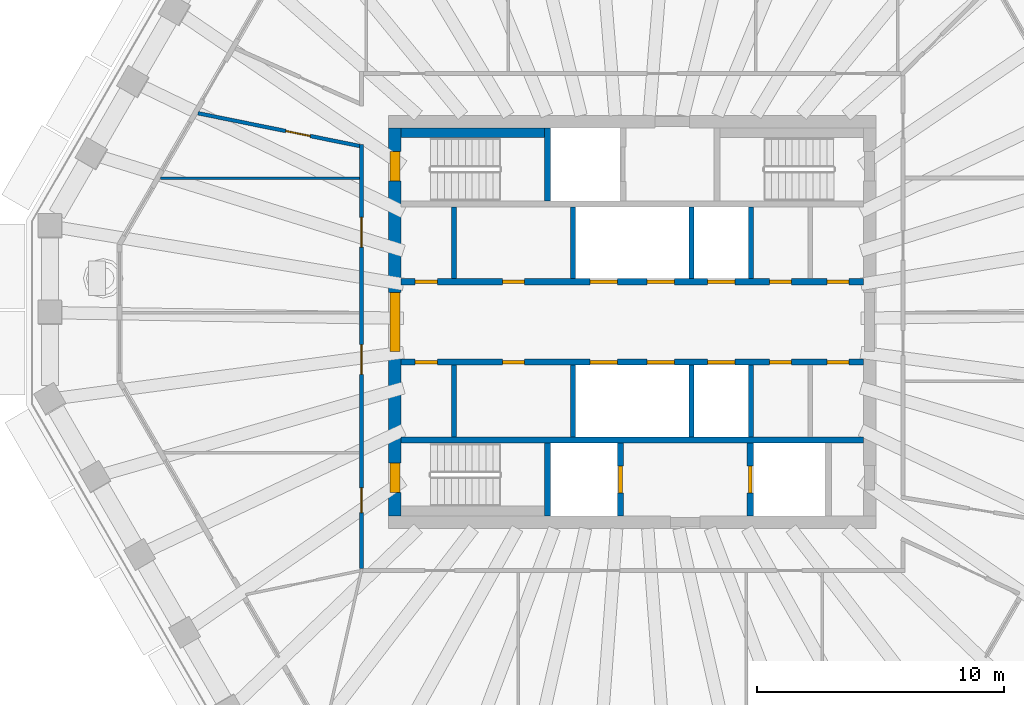
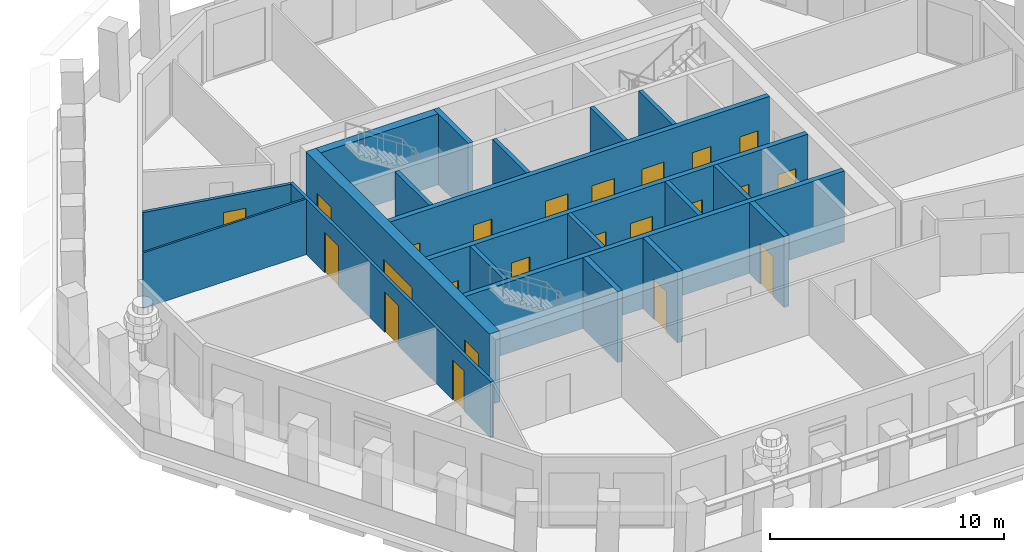
# One storey, part 4 of 11: 23 doors, 20 walls, 23 openings.
"""IFC4 building model written with IfcOpenShell, lengths in metres."""

import ifcopenshell
import ifcopenshell.guid

model = None  # the IFC model being written
_history = None  # IfcOwnerHistory: only IFC2X3 demands one
_inside = {}  # id of a spatial element -> (the spatial element, [elements in it])
_under = {}  # id of a project, library or spatial element -> (it, [spatial elements below it])
_declared = {}  # id of a project -> (the project, [libraries it declares])
_typed = {}  # id of a type object -> (the type object, [elements of that type])
_made_of = {}  # id of a material, layer set ... -> (it, [elements and type objects made of it])


def new_model(schema):
    """Start an empty IFC model of exactly this schema.

    Asked for "IFC4X3", IfcOpenShell would pick the latest addendum, in which some entities
    have other attributes; the version numbers below select the first issue.
    IFC2X3 requires an IfcOwnerHistory on every rooted entity: one is made here for all.
    """
    global model, _history
    if schema == "IFC4X3":
        model = ifcopenshell.file(schema_version=(4, 3, 0, 0))
    else:
        model = ifcopenshell.file(schema=schema)
    _inside.clear()
    _under.clear()
    _declared.clear()
    _typed.clear()
    _made_of.clear()
    _history = None
    if model.schema == "IFC2X3":
        org = make("IfcOrganization", Name="unknown")
        user = make(
            "IfcPersonAndOrganization",
            ThePerson=make("IfcPerson", FamilyName="unknown"),
            TheOrganization=org,
        )
        app = make(
            "IfcApplication",
            ApplicationDeveloper=org,
            Version="unknown",
            ApplicationFullName="unknown",
            ApplicationIdentifier="unknown",
        )
        _history = make(
            "IfcOwnerHistory",
            OwningUser=user,
            OwningApplication=app,
            ChangeAction="ADDED",
            CreationDate=0,
        )
    return model


def make(cls, **values):
    """One entity of the class cls with the attributes given. An attribute that is None is left unset."""
    return model.create_entity(
        cls, **{name: value for name, value in values.items() if value is not None}
    )


def rooted(cls, **values):
    """An entity with a GlobalId (a new one), such as an element, a storey or a relation."""
    return make(cls, GlobalId=ifcopenshell.guid.new(), OwnerHistory=_history, **values)


def si_unit(unit_type, name, prefix=None):
    """IfcSIUnit, for example si_unit("LENGTHUNIT", "METRE", prefix="MILLI")."""
    return make("IfcSIUnit", UnitType=unit_type, Prefix=prefix, Name=name)


def assignment(units):
    """IfcUnitAssignment: the units of a project."""
    return None if units is None else make("IfcUnitAssignment", Units=units)


def point(xyz):
    """IfcCartesianPoint."""
    return None if xyz is None else make("IfcCartesianPoint", Coordinates=xyz)


def direction(xyz):
    """IfcDirection."""
    return None if xyz is None else make("IfcDirection", DirectionRatios=xyz)


def frame(location, z_axis=None, x_axis=None):
    """IfcAxis2Placement3D, a coordinate frame: its origin and axes. An axis left out is left unset."""
    return make(
        "IfcAxis2Placement3D",
        Location=point(location),
        Axis=direction(z_axis),
        RefDirection=direction(x_axis),
    )


def frame_2d(location, x_axis=None):
    """IfcAxis2Placement2D, a coordinate frame in the plane: its origin and x axis."""
    return make(
        "IfcAxis2Placement2D", Location=point(location), RefDirection=direction(x_axis)
    )


def origin():
    """The frame at (0, 0, 0) with its axes left unset."""
    return frame((0.0, 0.0, 0.0))


def place(relative_to, where):
    """IfcLocalPlacement: puts the frame where relative to a parent placement (None: the world)."""
    return make(
        "IfcLocalPlacement", PlacementRelTo=relative_to, RelativePlacement=where
    )


def context(
    kind, dimensions, precision=None, world=None, true_north=None, identifier=None
):
    """IfcGeometricRepresentationContext, for example the 3D "Model" context."""
    return make(
        "IfcGeometricRepresentationContext",
        ContextIdentifier=identifier,
        ContextType=kind,
        CoordinateSpaceDimension=dimensions,
        Precision=precision,
        WorldCoordinateSystem=world,
        TrueNorth=true_north,
    )


def subcontext(parent, identifier, kind, view, scale=None):
    """IfcGeometricRepresentationSubContext, for example "Body" below "Model"."""
    return make(
        "IfcGeometricRepresentationSubContext",
        ContextIdentifier=identifier,
        ContextType=kind,
        ParentContext=parent,
        TargetScale=scale,
        TargetView=view,
    )


def project(units=None, contexts=None):
    """IfcProject with its units and contexts."""
    return rooted(
        "IfcProject",
        Name="project",
        RepresentationContexts=contexts,
        UnitsInContext=assignment(units),
    )


def spatial(cls, under=None, at=None, **own):
    """A site, building, storey or space (cls), placed at a placement, below another one or the project."""
    s = rooted(cls, ObjectPlacement=at, **own)
    if under is not None:
        _under.setdefault(under.id(), (under, []))[1].append(s)
    return s


def profile(cls, at=None, kind="AREA", **sizes):
    """A parametric profile (cls). Its sizes go by their IFC names, for example OverallWidth=200.0."""
    return make(cls, ProfileType=kind, Position=at, **sizes)


def rectangle(**sizes):
    """IfcRectangleProfileDef."""
    return profile("IfcRectangleProfileDef", **sizes)


def extrude(swept, where, along, depth):
    """IfcExtrudedAreaSolid: the profile swept, set in the frame where, extruded along a direction by depth."""
    return make(
        "IfcExtrudedAreaSolid",
        SweptArea=swept,
        Position=where,
        ExtrudedDirection=direction(along),
        Depth=depth,
    )


def shape(context_of_items, identifier, shape_type, items):
    """IfcShapeRepresentation: the items that make up one representation, for example the "Body"."""
    return make(
        "IfcShapeRepresentation",
        ContextOfItems=context_of_items,
        RepresentationIdentifier=identifier,
        RepresentationType=shape_type,
        Items=items,
    )


def material(Name=None, Category=None):
    """IfcMaterial."""
    return make("IfcMaterial", Name=Name, Category=Category)


def layer(
    of_material, thickness, ventilated=None, Name=None, Category=None, Priority=None
):
    """IfcMaterialLayer: one layer of a wall or slab, of a material (None: an air gap)."""
    return make(
        "IfcMaterialLayer",
        Material=of_material,
        LayerThickness=thickness,
        IsVentilated=ventilated,
        Name=Name,
        Category=Category,
        Priority=Priority,
    )


def layer_set(layers, Name=None):
    """IfcMaterialLayerSet."""
    return make("IfcMaterialLayerSet", MaterialLayers=layers, LayerSetName=Name)


def made_of(thing, what):
    """Note that an element or type object is made of a material, layer set ...; save() writes the relation."""
    if what is not None:
        _made_of.setdefault(what.id(), (what, []))[1].append(thing)
    return thing


def type_object(cls, material=None, **own):
    """A type object (cls), such as IfcWallType, which elements share."""
    return made_of(rooted(cls, **own), material)


def element(
    cls,
    number,
    at=None,
    inside=None,
    cuts=None,
    type_object=None,
    material=None,
    context=None,
    identifier="Body",
    shape_type=None,
    held_by="IfcProductDefinitionShape",
    body=None,
    shapes=None,
    **own,
):
    """One element of the class cls, such as IfcWall. Its Tag is "e" and its number.

    at: its placement. inside: the storey or other place that contains it. cuts: it is an
    opening in that element (IfcRelVoidsElement). A single representation is given by context,
    identifier, shape_type and body (its items); several are given by shapes. held_by: the class
    of the entity that holds the representations. save() writes the other relations.
    """
    e = rooted(cls, Tag="e%d" % number, ObjectPlacement=at, **own)
    if body is not None:
        shapes = [shape(context, identifier, shape_type, body)]
    if shapes is not None:
        e.Representation = make(held_by, Representations=shapes)
    if inside is not None:
        _inside.setdefault(inside.id(), (inside, []))[1].append(e)
    if cuts is not None:
        rooted(
            "IfcRelVoidsElement", RelatingBuildingElement=cuts, RelatedOpeningElement=e
        )
    if type_object is not None:
        _typed.setdefault(type_object.id(), (type_object, []))[1].append(e)
    return made_of(e, material)


def fill(opening, filler):
    """IfcRelFillsElement: the door or window that sits in an opening."""
    return rooted(
        "IfcRelFillsElement",
        RelatingOpeningElement=opening,
        RelatedBuildingElement=filler,
    )


def aggregate(whole, parts):
    """IfcRelAggregates: a whole, such as a stair, and the parts it consists of."""
    return rooted("IfcRelAggregates", RelatingObject=whole, RelatedObjects=parts)


def save(model, path):
    """Write the relations noted so far, then the file.

    IfcRelAggregates (storeys below a building ...), IfcRelContainedInSpatialStructure (elements
    in a storey), IfcRelDefinesByType, IfcRelAssociatesMaterial and IfcRelDeclares: one each for
    every whole, place, type object, material and project.
    """
    for whole, parts in _under.values():
        aggregate(whole, parts)
    for where, things in _inside.values():
        rooted(
            "IfcRelContainedInSpatialStructure",
            RelatedElements=things,
            RelatingStructure=where,
        )
    for kind, things in _typed.values():
        rooted("IfcRelDefinesByType", RelatedObjects=things, RelatingType=kind)
    for what, things in _made_of.values():
        rooted("IfcRelAssociatesMaterial", RelatedObjects=things, RelatingMaterial=what)
    for by, libraries in _declared.values():
        rooted("IfcRelDeclares", RelatingContext=by, RelatedDefinitions=libraries)
    model.write(path)


model = new_model("IFC4")

# Units and contexts
model_context = context("Model", 3, precision=1e-05, world=origin(), true_north=direction((0.0, 1.0)))
body_context = subcontext(model_context, "Body", "Model", "MODEL_VIEW")
ifc_project = project(units=[si_unit("LENGTHUNIT", "METRE"), si_unit("AREAUNIT", "SQUARE_METRE"), si_unit("VOLUMEUNIT", "CUBIC_METRE"), si_unit("PLANEANGLEUNIT", "RADIAN"), si_unit("MASSUNIT", "GRAM", prefix="KILO")], contexts=[model_context])

# Site, building, storey
site_placement = place(None, origin())
site = spatial("IfcSite", under=ifc_project, at=site_placement, CompositionType="ELEMENT")
building_placement = place(site_placement, origin())
building = spatial("IfcBuilding", under=site, at=building_placement, Name="Frailejon Research Tower", CompositionType="ELEMENT")
storey_placement = place(building_placement, frame((0.0, 0.0, 275.0)))
storey = spatial("IfcBuildingStorey", under=building, at=storey_placement, Name="L60", CompositionType="ELEMENT", Elevation=275.0)

# Wall, openings, doors
ifc_material_1 = material(Name="Concrete C50/60", Category="concrete")
ifc_layer_1 = layer(ifc_material_1, 0.5)
ifc_layer_set_1 = layer_set([ifc_layer_1], Name="Core shear wall 500 C50/60")
wall_type_1 = type_object("IfcWallType", Name="Core shear wall 500 C50/60", PredefinedType="SHEAR", material=ifc_layer_set_1)
wall_1_placement = place(storey_placement, frame((-9.60009765625, -7.85009765625, 0.0), z_axis=(0.0, 0.0, 1.0), x_axis=(0.0, 1.0, 0.0)))
wall_1 = element("IfcWall", 1, at=wall_1_placement, inside=storey, type_object=wall_type_1, Name="Core shear wall", PredefinedType="SHEAR", context=body_context, shape_type="SweptSolid", body=[
    extrude(rectangle(XDim=15.7001953125, YDim=0.5, at=frame_2d((7.85009765625, 0.0))), origin(), (0.0, 0.0, 1.0), 3.699951171875),
])
opening_1_placement = place(wall_1_placement, frame((6.64990234375, 0.0, 0.0)))
opening_1 = element("IfcOpeningElement", 2, at=opening_1_placement, cuts=wall_1, Name="Opening D2", PredefinedType="OPENING", context=body_context, shape_type="SweptSolid", body=[
    extrude(rectangle(XDim=2.39990234375, YDim=2.10009765625, at=frame_2d((1.199951171875, 1.050048828125))), frame((0.0, 0.260009765625, 0.0), z_axis=(0.0, -1.0, 0.0), x_axis=(1.0, 0.0, 0.0)), (0.0, 0.0, 1.0), 0.52001953125),
])
opening_2_placement = place(wall_1_placement, frame((13.550048828125, 0.0, 0.0)))
opening_2 = element("IfcOpeningElement", 3, at=opening_2_placement, cuts=wall_1, Name="Opening D1", PredefinedType="OPENING", context=body_context, shape_type="SweptSolid", body=[
    extrude(rectangle(XDim=1.199951171875, YDim=2.10009765625, at=frame_2d((0.60009765625, 1.050048828125))), frame((0.0, 0.260009765625, 0.0), z_axis=(0.0, -1.0, 0.0), x_axis=(1.0, 0.0, 0.0)), (0.0, 0.0, 1.0), 0.52001953125),
])
opening_3_placement = place(wall_1_placement, frame((0.949951171875, 0.0, 0.0)))
opening_3 = element("IfcOpeningElement", 4, at=opening_3_placement, cuts=wall_1, Name="Opening D1", PredefinedType="OPENING", context=body_context, shape_type="SweptSolid", body=[
    extrude(rectangle(XDim=1.199951171875, YDim=2.10009765625, at=frame_2d((0.60009765625, 1.050048828125))), frame((0.0, 0.260009765625, 0.0), z_axis=(0.0, -1.0, 0.0), x_axis=(1.0, 0.0, 0.0)), (0.0, 0.0, 1.0), 0.52001953125),
])
ifc_material_2 = material(Name="Steel", Category="steel")
door_type_1 = type_object("IfcDoorType", Name="Lobby double door", OperationType="DOUBLE_DOOR_SINGLE_SWING", PredefinedType="DOOR", material=ifc_material_2)
door_1_placement = place(opening_1_placement, origin())
door_1 = element("IfcDoor", 5, at=door_1_placement, inside=storey, type_object=door_type_1, Name="Lobby door", OperationType="DOUBLE_DOOR_SINGLE_SWING", OverallHeight=2.10009765625, OverallWidth=2.39990234375, PredefinedType="DOOR", context=body_context, shape_type="SweptSolid", body=[
    extrude(rectangle(XDim=2.39990234375, YDim=2.10009765625, at=frame_2d((1.199951171875, 1.050048828125))), frame((0.0, 0.199951171875, 0.0), z_axis=(0.0, -1.0, 0.0), x_axis=(1.0, 0.0, 0.0)), (0.0, 0.0, 1.0), 0.39990234375),
])
fill(opening_1, door_1)
ifc_material_3 = material(Name="Steel", Category="steel")
door_type_2 = type_object("IfcDoorType", Name="Stair door", OperationType="SINGLE_SWING_LEFT", PredefinedType="DOOR", material=ifc_material_3)
door_2_placement = place(opening_2_placement, origin())
door_2 = element("IfcDoor", 6, at=door_2_placement, inside=storey, type_object=door_type_2, Name="Stair door ST1", OperationType="SINGLE_SWING_RIGHT", OverallHeight=2.10009765625, OverallWidth=1.199951171875, PredefinedType="DOOR", context=body_context, shape_type="SweptSolid", body=[
    extrude(rectangle(XDim=1.199951171875, YDim=2.10009765625, at=frame_2d((0.60009765625, 1.050048828125))), frame((0.0, 0.199951171875, 0.0), z_axis=(0.0, -1.0, 0.0), x_axis=(1.0, 0.0, 0.0)), (0.0, 0.0, 1.0), 0.39990234375),
])
fill(opening_2, door_2)
door_3_placement = place(opening_3_placement, origin())
door_3 = element("IfcDoor", 7, at=door_3_placement, inside=storey, type_object=door_type_2, Name="Stair door ST2", OperationType="SINGLE_SWING_LEFT", OverallHeight=2.10009765625, OverallWidth=1.199951171875, PredefinedType="DOOR", context=body_context, shape_type="SweptSolid", body=[
    extrude(rectangle(XDim=1.199951171875, YDim=2.10009765625, at=frame_2d((0.60009765625, 1.050048828125))), frame((0.0, 0.199951171875, 0.0), z_axis=(0.0, -1.0, 0.0), x_axis=(1.0, 0.0, 0.0)), (0.0, 0.0, 1.0), 0.39990234375),
])
fill(opening_3, door_3)

# Wall, opening, door
ifc_material_4 = material(Name="Gypsum board and masonry partition", Category="masonry")
ifc_layer_2 = layer(ifc_material_4, 0.14990234375)
ifc_layer_set_2 = layer_set([ifc_layer_2], Name="Corridor wall EI 60, gypsum on steel studs 150")
wall_type_2 = type_object("IfcWallType", Name="Corridor wall EI 60, gypsum on steel studs 150", PredefinedType="PARTITIONING", material=ifc_layer_set_2)
wall_2_placement = place(storey_placement, frame((-17.5595703125, 8.440185546875, 0.0), z_axis=(0.0, 0.0, 1.0), x_axis=(0.980059114806, -0.198706143552, 0.0)))
wall_2 = element("IfcWall", 8, at=wall_2_placement, inside=storey, type_object=wall_type_2, Name="T:IW:L60:002", PredefinedType="PARTITIONING", context=body_context, shape_type="SweptSolid", body=[
    extrude(rectangle(XDim=6.669189453125, YDim=0.14990234375, at=frame_2d((3.33447265625, 0.0))), origin(), (0.0, 0.0, 1.0), 2.89990234375),
])
opening_4_placement = place(wall_2_placement, frame((3.628662109375, 0.0, 0.0)))
opening_4 = element("IfcOpeningElement", 9, at=opening_4_placement, cuts=wall_2, Name="Opening D2158", PredefinedType="OPENING", context=body_context, shape_type="SweptSolid", body=[
    extrude(rectangle(XDim=1.0, YDim=2.10009765625, at=frame_2d((0.5, 1.050048828125))), frame((0.0, 0.0849609375, 0.0), z_axis=(0.0, -1.0, 0.0), x_axis=(1.0, 0.0, 0.0)), (0.0, 0.0, 1.0), 0.169921875),
])
ifc_material_5 = material(Name="Timber door leaf", Category="wood")
door_type_3 = type_object("IfcDoorType", Name="Door single leaf, timber, steel frame 1000", OperationType="NOTDEFINED", PredefinedType="DOOR", material=ifc_material_5)
door_4_placement = place(opening_4_placement, origin())
door_4 = element("IfcDoor", 10, at=door_4_placement, inside=storey, type_object=door_type_3, Name="D2158", OperationType="SINGLE_SWING_RIGHT", OverallHeight=2.10009765625, OverallWidth=1.0, PredefinedType="DOOR", context=body_context, shape_type="SweptSolid", body=[
    extrude(rectangle(XDim=1.0, YDim=2.10009765625, at=frame_2d((0.5, 1.050048828125))), frame((0.0, 0.02490234375, 0.0), z_axis=(0.0, -1.0, 0.0), x_axis=(1.0, 0.0, 0.0)), (0.0, 0.0, 1.0), 0.050048828125),
])
fill(opening_4, door_4)

# Wall, openings, doors
wall_3_placement = place(storey_placement, frame((-10.949951171875, -9.97509765625, 0.0), z_axis=(0.0, 0.0, 1.0), x_axis=(0.0, 1.0, 0.0)))
wall_3 = element("IfcWall", 11, at=wall_3_placement, inside=storey, type_object=wall_type_2, Name="T:IW:L60:006", PredefinedType="PARTITIONING", context=body_context, shape_type="SweptSolid", body=[
    extrude(rectangle(XDim=17.150146484375, YDim=0.14990234375, at=frame_2d((8.5751953125, 0.0))), origin(), (0.0, 0.0, 1.0), 2.89990234375),
])
opening_5_placement = place(wall_3_placement, frame((13.004150390625, 0.0, 0.0)))
opening_5 = element("IfcOpeningElement", 12, at=opening_5_placement, cuts=wall_3, Name="Opening D2159", PredefinedType="OPENING", context=body_context, shape_type="SweptSolid", body=[
    extrude(rectangle(XDim=1.199951171875, YDim=2.10009765625, at=frame_2d((0.60009765625, 1.050048828125))), frame((0.0, 0.0849609375, 0.0), z_axis=(0.0, -1.0, 0.0), x_axis=(1.0, 0.0, 0.0)), (0.0, 0.0, 1.0), 0.169921875),
])
opening_6_placement = place(wall_3_placement, frame((7.860107421875, 0.0, 0.0)))
opening_6 = element("IfcOpeningElement", 13, at=opening_6_placement, cuts=wall_3, Name="Opening D2160", PredefinedType="OPENING", context=body_context, shape_type="SweptSolid", body=[
    extrude(rectangle(XDim=1.199951171875, YDim=2.10009765625, at=frame_2d((0.60009765625, 1.050048828125))), frame((0.0, 0.0849609375, 0.0), z_axis=(0.0, -1.0, 0.0), x_axis=(1.0, 0.0, 0.0)), (0.0, 0.0, 1.0), 0.169921875),
])
opening_7_placement = place(wall_3_placement, frame((2.263427734375, 0.0, 0.0)))
opening_7 = element("IfcOpeningElement", 14, at=opening_7_placement, cuts=wall_3, Name="Opening D2161", PredefinedType="OPENING", context=body_context, shape_type="SweptSolid", body=[
    extrude(rectangle(XDim=1.0, YDim=2.10009765625, at=frame_2d((0.5, 1.050048828125))), frame((0.0, 0.0849609375, 0.0), z_axis=(0.0, -1.0, 0.0), x_axis=(1.0, 0.0, 0.0)), (0.0, 0.0, 1.0), 0.169921875),
])
door_5_placement = place(opening_7_placement, origin())
door_5 = element("IfcDoor", 15, at=door_5_placement, inside=storey, type_object=door_type_3, Name="D2161", OperationType="SINGLE_SWING_RIGHT", OverallHeight=2.10009765625, OverallWidth=1.0, PredefinedType="DOOR", context=body_context, shape_type="SweptSolid", body=[
    extrude(rectangle(XDim=1.0, YDim=2.10009765625, at=frame_2d((0.5, 1.050048828125))), frame((0.0, 0.02490234375, 0.0), z_axis=(0.0, -1.0, 0.0), x_axis=(1.0, 0.0, 0.0)), (0.0, 0.0, 1.0), 0.050048828125),
])
fill(opening_7, door_5)
ifc_material_6 = material(Name="Timber door leaf", Category="wood")
door_type_4 = type_object("IfcDoorType", Name="Door single leaf, timber, steel frame 1200", OperationType="NOTDEFINED", PredefinedType="DOOR", material=ifc_material_6)
door_6_placement = place(opening_5_placement, origin())
door_6 = element("IfcDoor", 16, at=door_6_placement, inside=storey, type_object=door_type_4, Name="D2159", OperationType="DOUBLE_DOOR_SINGLE_SWING", OverallHeight=2.10009765625, OverallWidth=1.199951171875, PredefinedType="DOOR", context=body_context, shape_type="SweptSolid", body=[
    extrude(rectangle(XDim=1.199951171875, YDim=2.10009765625, at=frame_2d((0.60009765625, 1.050048828125))), frame((0.0, 0.02490234375, 0.0), z_axis=(0.0, -1.0, 0.0), x_axis=(1.0, 0.0, 0.0)), (0.0, 0.0, 1.0), 0.050048828125),
])
fill(opening_5, door_6)
door_7_placement = place(opening_6_placement, origin())
door_7 = element("IfcDoor", 17, at=door_7_placement, inside=storey, type_object=door_type_4, Name="D2160", OperationType="DOUBLE_DOOR_SINGLE_SWING", OverallHeight=2.10009765625, OverallWidth=1.199951171875, PredefinedType="DOOR", context=body_context, shape_type="SweptSolid", body=[
    extrude(rectangle(XDim=1.199951171875, YDim=2.10009765625, at=frame_2d((0.60009765625, 1.050048828125))), frame((0.0, 0.02490234375, 0.0), z_axis=(0.0, -1.0, 0.0), x_axis=(1.0, 0.0, 0.0)), (0.0, 0.0, 1.0), 0.050048828125),
])
fill(opening_6, door_7)

# Walls
ifc_material_7 = material(Name="Gypsum board and masonry partition", Category="masonry")
ifc_layer_3 = layer(ifc_material_7, 0.10009765625)
ifc_layer_set_3 = layer_set([ifc_layer_3], Name="Partition, gypsum on steel studs 100")
wall_type_3 = type_object("IfcWallType", Name="Partition, gypsum on steel studs 100", PredefinedType="PARTITIONING", material=ifc_layer_set_3)
wall_4_placement = place(storey_placement, frame((-19.072998046875, 5.81884765625, 0.0), z_axis=(0.0, 0.0, 1.0), x_axis=(1.0, 0.0, 0.0)))
element("IfcWall", 18, at=wall_4_placement, inside=storey, type_object=wall_type_3, Name="T:IW:L60:019", PredefinedType="PARTITIONING", context=body_context, shape_type="SweptSolid", body=[
    extrude(rectangle(XDim=8.048095703125, YDim=0.10009765625, at=frame_2d((4.02392578125, 0.0))), origin(), (0.0, 0.0, 1.0), 2.89990234375),
])
ifc_material_8 = material(Name="Concrete C50/60", Category="concrete")
ifc_layer_4 = layer(ifc_material_8, 0.199951171875)
ifc_layer_set_4 = layer_set([ifc_layer_4], Name="Shaft wall 200 C50/60")
wall_type_4 = type_object("IfcWallType", Name="Shaft wall 200 C50/60", PredefinedType="SOLIDWALL", material=ifc_layer_set_4)
for number, where, z_axis, x_axis, name in (
    (19, (-7.199951171875, 1.75, 0.0), (0.0, 0.0, 1.0), (0.0, 1.0, 0.0), "Shaft wall"),
    (20, (-2.39990234375, 1.75, 0.0), (0.0, 0.0, 1.0), (0.0, 1.0, 0.0), "Shaft wall"),
    (21, (2.39990234375, 1.75, 0.0), (0.0, 0.0, 1.0), (0.0, 1.0, 0.0), "Shaft wall"),
    (22, (4.800048828125, 1.75, 0.0), (0.0, 0.0, 1.0), (0.0, 1.0, 0.0), "Shaft wall"),
    (23, (-7.199951171875, -4.64990234375, 0.0), (0.0, 0.0, 1.0), (0.0, 1.0, 0.0), "Shaft wall"),
    (24, (-2.39990234375, -4.64990234375, 0.0), (0.0, 0.0, 1.0), (0.0, 1.0, 0.0), "Shaft wall"),
    (25, (2.39990234375, -4.64990234375, 0.0), (0.0, 0.0, 1.0), (0.0, 1.0, 0.0), "Shaft wall"),
    (26, (4.800048828125, -4.64990234375, 0.0), (0.0, 0.0, 1.0), (0.0, 1.0, 0.0), "Shaft wall"),
):
    element("IfcWall", number, at=place(storey_placement, frame(where, z_axis=z_axis, x_axis=x_axis)), inside=storey, type_object=wall_type_4, Name=name, PredefinedType="SOLIDWALL", context=body_context, shape_type="SweptSolid", body=[
        extrude(rectangle(XDim=2.89990234375, YDim=0.199951171875, at=frame_2d((1.449951171875, 0.0))), origin(), (0.0, 0.0, 1.0), 3.699951171875),
    ])

# Wall, openings, doors
ifc_material_9 = material(Name="Concrete C50/60", Category="concrete")
ifc_layer_5 = layer(ifc_material_9, 0.25)
ifc_layer_set_5 = layer_set([ifc_layer_5], Name="Shaft wall 250 C50/60")
wall_type_5 = type_object("IfcWallType", Name="Shaft wall 250 C50/60", PredefinedType="SOLIDWALL", material=ifc_layer_set_5)
wall_5_placement = place(storey_placement, frame((-9.35009765625, 1.625, 0.0), z_axis=(0.0, 0.0, 1.0), x_axis=(1.0, 0.0, 0.0)))
wall_5 = element("IfcWall", 27, at=wall_5_placement, inside=storey, type_object=wall_type_5, Name="Shaft wall", PredefinedType="SOLIDWALL", context=body_context, shape_type="SweptSolid", body=[
    extrude(rectangle(XDim=18.7001953125, YDim=0.25, at=frame_2d((9.35009765625, 0.0))), origin(), (0.0, 0.0, 1.0), 3.699951171875),
])
opening_8_placement = place(wall_5_placement, frame((7.64990234375, 0.0, 0.0)))
opening_8 = element("IfcOpeningElement", 28, at=opening_8_placement, cuts=wall_5, Name="Opening LD", PredefinedType="OPENING", context=body_context, shape_type="SweptSolid", body=[
    extrude(rectangle(XDim=1.10009765625, YDim=2.10009765625, at=frame_2d((0.550048828125, 1.050048828125))), frame((0.0, 0.135009765625, 0.0), z_axis=(0.0, -1.0, 0.0), x_axis=(1.0, 0.0, 0.0)), (0.0, 0.0, 1.0), 0.27001953125),
])
opening_9_placement = place(wall_5_placement, frame((9.949951171875, 0.0, 0.0)))
opening_9 = element("IfcOpeningElement", 29, at=opening_9_placement, cuts=wall_5, Name="Opening LD", PredefinedType="OPENING", context=body_context, shape_type="SweptSolid", body=[
    extrude(rectangle(XDim=1.10009765625, YDim=2.10009765625, at=frame_2d((0.550048828125, 1.050048828125))), frame((0.0, 0.135009765625, 0.0), z_axis=(0.0, -1.0, 0.0), x_axis=(1.0, 0.0, 0.0)), (0.0, 0.0, 1.0), 0.27001953125),
])
opening_10_placement = place(wall_5_placement, frame((12.39990234375, 0.0, 0.0)))
opening_10 = element("IfcOpeningElement", 30, at=opening_10_placement, cuts=wall_5, Name="Opening LD", PredefinedType="OPENING", context=body_context, shape_type="SweptSolid", body=[
    extrude(rectangle(XDim=1.10009765625, YDim=2.10009765625, at=frame_2d((0.550048828125, 1.050048828125))), frame((0.0, 0.135009765625, 0.0), z_axis=(0.0, -1.0, 0.0), x_axis=(1.0, 0.0, 0.0)), (0.0, 0.0, 1.0), 0.27001953125),
])
opening_11_placement = place(wall_5_placement, frame((0.574951171875, 0.0, 0.0)))
opening_11 = element("IfcOpeningElement", 31, at=opening_11_placement, cuts=wall_5, Name="Opening D8", PredefinedType="OPENING", context=body_context, shape_type="SweptSolid", body=[
    extrude(rectangle(XDim=0.89990234375, YDim=2.10009765625, at=frame_2d((0.449951171875, 1.050048828125))), frame((0.0, 0.135009765625, 0.0), z_axis=(0.0, -1.0, 0.0), x_axis=(1.0, 0.0, 0.0)), (0.0, 0.0, 1.0), 0.27001953125),
])
opening_12_placement = place(wall_5_placement, frame((4.10009765625, 0.0, 0.0)))
opening_12 = element("IfcOpeningElement", 32, at=opening_12_placement, cuts=wall_5, Name="Opening D8", PredefinedType="OPENING", context=body_context, shape_type="SweptSolid", body=[
    extrude(rectangle(XDim=0.89990234375, YDim=2.10009765625, at=frame_2d((0.449951171875, 1.050048828125))), frame((0.0, 0.135009765625, 0.0), z_axis=(0.0, -1.0, 0.0), x_axis=(1.0, 0.0, 0.0)), (0.0, 0.0, 1.0), 0.27001953125),
])
opening_13_placement = place(wall_5_placement, frame((14.89990234375, 0.0, 0.0)))
opening_13 = element("IfcOpeningElement", 33, at=opening_13_placement, cuts=wall_5, Name="Opening D8", PredefinedType="OPENING", context=body_context, shape_type="SweptSolid", body=[
    extrude(rectangle(XDim=0.89990234375, YDim=2.10009765625, at=frame_2d((0.449951171875, 1.050048828125))), frame((0.0, 0.135009765625, 0.0), z_axis=(0.0, -1.0, 0.0), x_axis=(1.0, 0.0, 0.0)), (0.0, 0.0, 1.0), 0.27001953125),
])
opening_14_placement = place(wall_5_placement, frame((17.22509765625, 0.0, 0.0)))
opening_14 = element("IfcOpeningElement", 34, at=opening_14_placement, cuts=wall_5, Name="Opening D8", PredefinedType="OPENING", context=body_context, shape_type="SweptSolid", body=[
    extrude(rectangle(XDim=0.89990234375, YDim=2.10009765625, at=frame_2d((0.449951171875, 1.050048828125))), frame((0.0, 0.135009765625, 0.0), z_axis=(0.0, -1.0, 0.0), x_axis=(1.0, 0.0, 0.0)), (0.0, 0.0, 1.0), 0.27001953125),
])
ifc_material_10 = material(Name="Steel", Category="steel")
door_type_5 = type_object("IfcDoorType", Name="Core room door", OperationType="SINGLE_SWING_LEFT", PredefinedType="DOOR", material=ifc_material_10)
door_8_placement = place(opening_11_placement, origin())
door_8 = element("IfcDoor", 35, at=door_8_placement, inside=storey, type_object=door_type_5, Name="Room door", OperationType="SINGLE_SWING_RIGHT", OverallHeight=2.10009765625, OverallWidth=0.89990234375, PredefinedType="DOOR", context=body_context, shape_type="SweptSolid", body=[
    extrude(rectangle(XDim=0.89990234375, YDim=2.10009765625, at=frame_2d((0.449951171875, 1.050048828125))), frame((0.0, 0.074951171875, 0.0), z_axis=(0.0, -1.0, 0.0), x_axis=(1.0, 0.0, 0.0)), (0.0, 0.0, 1.0), 0.14990234375),
])
fill(opening_11, door_8)
door_9_placement = place(opening_12_placement, origin())
door_9 = element("IfcDoor", 36, at=door_9_placement, inside=storey, type_object=door_type_5, Name="Room door", OperationType="SINGLE_SWING_LEFT", OverallHeight=2.10009765625, OverallWidth=0.89990234375, PredefinedType="DOOR", context=body_context, shape_type="SweptSolid", body=[
    extrude(rectangle(XDim=0.89990234375, YDim=2.10009765625, at=frame_2d((0.449951171875, 1.050048828125))), frame((0.0, 0.074951171875, 0.0), z_axis=(0.0, -1.0, 0.0), x_axis=(1.0, 0.0, 0.0)), (0.0, 0.0, 1.0), 0.14990234375),
])
fill(opening_12, door_9)
door_10_placement = place(opening_13_placement, origin())
door_10 = element("IfcDoor", 37, at=door_10_placement, inside=storey, type_object=door_type_5, Name="Room door", OperationType="SINGLE_SWING_RIGHT", OverallHeight=2.10009765625, OverallWidth=0.89990234375, PredefinedType="DOOR", context=body_context, shape_type="SweptSolid", body=[
    extrude(rectangle(XDim=0.89990234375, YDim=2.10009765625, at=frame_2d((0.449951171875, 1.050048828125))), frame((0.0, 0.074951171875, 0.0), z_axis=(0.0, -1.0, 0.0), x_axis=(1.0, 0.0, 0.0)), (0.0, 0.0, 1.0), 0.14990234375),
])
fill(opening_13, door_10)
door_11_placement = place(opening_14_placement, origin())
door_11 = element("IfcDoor", 38, at=door_11_placement, inside=storey, type_object=door_type_5, Name="Room door", OperationType="SINGLE_SWING_LEFT", OverallHeight=2.10009765625, OverallWidth=0.89990234375, PredefinedType="DOOR", context=body_context, shape_type="SweptSolid", body=[
    extrude(rectangle(XDim=0.89990234375, YDim=2.10009765625, at=frame_2d((0.449951171875, 1.050048828125))), frame((0.0, 0.074951171875, 0.0), z_axis=(0.0, -1.0, 0.0), x_axis=(1.0, 0.0, 0.0)), (0.0, 0.0, 1.0), 0.14990234375),
])
fill(opening_14, door_11)
ifc_material_11 = material(Name="Steel", Category="steel")
door_type_6 = type_object("IfcDoorType", Name="Lift landing door", OperationType="DOUBLE_DOOR_SLIDING", PredefinedType="DOOR", material=ifc_material_11)
door_12_placement = place(opening_8_placement, origin())
door_12 = element("IfcDoor", 39, at=door_12_placement, inside=storey, type_object=door_type_6, Name="Lift landing door", OperationType="DOUBLE_DOOR_SLIDING", OverallHeight=2.10009765625, OverallWidth=1.10009765625, PredefinedType="DOOR", context=body_context, shape_type="SweptSolid", body=[
    extrude(rectangle(XDim=1.10009765625, YDim=2.10009765625, at=frame_2d((0.550048828125, 1.050048828125))), frame((0.0, 0.074951171875, 0.0), z_axis=(0.0, -1.0, 0.0), x_axis=(1.0, 0.0, 0.0)), (0.0, 0.0, 1.0), 0.14990234375),
])
fill(opening_8, door_12)
door_13_placement = place(opening_9_placement, origin())
door_13 = element("IfcDoor", 40, at=door_13_placement, inside=storey, type_object=door_type_6, Name="Lift landing door", OperationType="DOUBLE_DOOR_SLIDING", OverallHeight=2.10009765625, OverallWidth=1.10009765625, PredefinedType="DOOR", context=body_context, shape_type="SweptSolid", body=[
    extrude(rectangle(XDim=1.10009765625, YDim=2.10009765625, at=frame_2d((0.550048828125, 1.050048828125))), frame((0.0, 0.074951171875, 0.0), z_axis=(0.0, -1.0, 0.0), x_axis=(1.0, 0.0, 0.0)), (0.0, 0.0, 1.0), 0.14990234375),
])
fill(opening_9, door_13)
door_14_placement = place(opening_10_placement, origin())
door_14 = element("IfcDoor", 41, at=door_14_placement, inside=storey, type_object=door_type_6, Name="Lift landing door", OperationType="DOUBLE_DOOR_SLIDING", OverallHeight=2.10009765625, OverallWidth=1.10009765625, PredefinedType="DOOR", context=body_context, shape_type="SweptSolid", body=[
    extrude(rectangle(XDim=1.10009765625, YDim=2.10009765625, at=frame_2d((0.550048828125, 1.050048828125))), frame((0.0, 0.074951171875, 0.0), z_axis=(0.0, -1.0, 0.0), x_axis=(1.0, 0.0, 0.0)), (0.0, 0.0, 1.0), 0.14990234375),
])
fill(opening_10, door_14)

wall_6_placement = place(storey_placement, frame((-9.35009765625, -1.625, 0.0), z_axis=(0.0, 0.0, 1.0), x_axis=(1.0, 0.0, 0.0)))
wall_6 = element("IfcWall", 42, at=wall_6_placement, inside=storey, type_object=wall_type_5, Name="Shaft wall", PredefinedType="SOLIDWALL", context=body_context, shape_type="SweptSolid", body=[
    extrude(rectangle(XDim=18.7001953125, YDim=0.25, at=frame_2d((9.35009765625, 0.0))), origin(), (0.0, 0.0, 1.0), 3.699951171875),
])
opening_15_placement = place(wall_6_placement, frame((7.64990234375, 0.0, 0.0)))
opening_15 = element("IfcOpeningElement", 43, at=opening_15_placement, cuts=wall_6, Name="Opening LD", PredefinedType="OPENING", context=body_context, shape_type="SweptSolid", body=[
    extrude(rectangle(XDim=1.10009765625, YDim=2.10009765625, at=frame_2d((0.550048828125, 1.050048828125))), frame((0.0, 0.135009765625, 0.0), z_axis=(0.0, -1.0, 0.0), x_axis=(1.0, 0.0, 0.0)), (0.0, 0.0, 1.0), 0.27001953125),
])
opening_16_placement = place(wall_6_placement, frame((9.949951171875, 0.0, 0.0)))
opening_16 = element("IfcOpeningElement", 44, at=opening_16_placement, cuts=wall_6, Name="Opening LD", PredefinedType="OPENING", context=body_context, shape_type="SweptSolid", body=[
    extrude(rectangle(XDim=1.10009765625, YDim=2.10009765625, at=frame_2d((0.550048828125, 1.050048828125))), frame((0.0, 0.135009765625, 0.0), z_axis=(0.0, -1.0, 0.0), x_axis=(1.0, 0.0, 0.0)), (0.0, 0.0, 1.0), 0.27001953125),
])
opening_17_placement = place(wall_6_placement, frame((12.39990234375, 0.0, 0.0)))
opening_17 = element("IfcOpeningElement", 45, at=opening_17_placement, cuts=wall_6, Name="Opening LD", PredefinedType="OPENING", context=body_context, shape_type="SweptSolid", body=[
    extrude(rectangle(XDim=1.10009765625, YDim=2.10009765625, at=frame_2d((0.550048828125, 1.050048828125))), frame((0.0, 0.135009765625, 0.0), z_axis=(0.0, -1.0, 0.0), x_axis=(1.0, 0.0, 0.0)), (0.0, 0.0, 1.0), 0.27001953125),
])
opening_18_placement = place(wall_6_placement, frame((0.574951171875, 0.0, 0.0)))
opening_18 = element("IfcOpeningElement", 46, at=opening_18_placement, cuts=wall_6, Name="Opening D8", PredefinedType="OPENING", context=body_context, shape_type="SweptSolid", body=[
    extrude(rectangle(XDim=0.89990234375, YDim=2.10009765625, at=frame_2d((0.449951171875, 1.050048828125))), frame((0.0, 0.135009765625, 0.0), z_axis=(0.0, -1.0, 0.0), x_axis=(1.0, 0.0, 0.0)), (0.0, 0.0, 1.0), 0.27001953125),
])
opening_19_placement = place(wall_6_placement, frame((4.10009765625, 0.0, 0.0)))
opening_19 = element("IfcOpeningElement", 47, at=opening_19_placement, cuts=wall_6, Name="Opening D8", PredefinedType="OPENING", context=body_context, shape_type="SweptSolid", body=[
    extrude(rectangle(XDim=0.89990234375, YDim=2.10009765625, at=frame_2d((0.449951171875, 1.050048828125))), frame((0.0, 0.135009765625, 0.0), z_axis=(0.0, -1.0, 0.0), x_axis=(1.0, 0.0, 0.0)), (0.0, 0.0, 1.0), 0.27001953125),
])
opening_20_placement = place(wall_6_placement, frame((14.89990234375, 0.0, 0.0)))
opening_20 = element("IfcOpeningElement", 48, at=opening_20_placement, cuts=wall_6, Name="Opening D8", PredefinedType="OPENING", context=body_context, shape_type="SweptSolid", body=[
    extrude(rectangle(XDim=0.89990234375, YDim=2.10009765625, at=frame_2d((0.449951171875, 1.050048828125))), frame((0.0, 0.135009765625, 0.0), z_axis=(0.0, -1.0, 0.0), x_axis=(1.0, 0.0, 0.0)), (0.0, 0.0, 1.0), 0.27001953125),
])
opening_21_placement = place(wall_6_placement, frame((17.22509765625, 0.0, 0.0)))
opening_21 = element("IfcOpeningElement", 49, at=opening_21_placement, cuts=wall_6, Name="Opening D8", PredefinedType="OPENING", context=body_context, shape_type="SweptSolid", body=[
    extrude(rectangle(XDim=0.89990234375, YDim=2.10009765625, at=frame_2d((0.449951171875, 1.050048828125))), frame((0.0, 0.135009765625, 0.0), z_axis=(0.0, -1.0, 0.0), x_axis=(1.0, 0.0, 0.0)), (0.0, 0.0, 1.0), 0.27001953125),
])
door_15_placement = place(opening_18_placement, origin())
door_15 = element("IfcDoor", 50, at=door_15_placement, inside=storey, type_object=door_type_5, Name="Room door", OperationType="SINGLE_SWING_RIGHT", OverallHeight=2.10009765625, OverallWidth=0.89990234375, PredefinedType="DOOR", context=body_context, shape_type="SweptSolid", body=[
    extrude(rectangle(XDim=0.89990234375, YDim=2.10009765625, at=frame_2d((0.449951171875, 1.050048828125))), frame((0.0, 0.074951171875, 0.0), z_axis=(0.0, -1.0, 0.0), x_axis=(1.0, 0.0, 0.0)), (0.0, 0.0, 1.0), 0.14990234375),
])
fill(opening_18, door_15)
door_16_placement = place(opening_19_placement, origin())
door_16 = element("IfcDoor", 51, at=door_16_placement, inside=storey, type_object=door_type_5, Name="Room door", OperationType="SINGLE_SWING_LEFT", OverallHeight=2.10009765625, OverallWidth=0.89990234375, PredefinedType="DOOR", context=body_context, shape_type="SweptSolid", body=[
    extrude(rectangle(XDim=0.89990234375, YDim=2.10009765625, at=frame_2d((0.449951171875, 1.050048828125))), frame((0.0, 0.074951171875, 0.0), z_axis=(0.0, -1.0, 0.0), x_axis=(1.0, 0.0, 0.0)), (0.0, 0.0, 1.0), 0.14990234375),
])
fill(opening_19, door_16)
door_17_placement = place(opening_20_placement, origin())
door_17 = element("IfcDoor", 52, at=door_17_placement, inside=storey, type_object=door_type_5, Name="Room door", OperationType="SINGLE_SWING_RIGHT", OverallHeight=2.10009765625, OverallWidth=0.89990234375, PredefinedType="DOOR", context=body_context, shape_type="SweptSolid", body=[
    extrude(rectangle(XDim=0.89990234375, YDim=2.10009765625, at=frame_2d((0.449951171875, 1.050048828125))), frame((0.0, 0.074951171875, 0.0), z_axis=(0.0, -1.0, 0.0), x_axis=(1.0, 0.0, 0.0)), (0.0, 0.0, 1.0), 0.14990234375),
])
fill(opening_20, door_17)
door_18_placement = place(opening_21_placement, origin())
door_18 = element("IfcDoor", 53, at=door_18_placement, inside=storey, type_object=door_type_5, Name="Room door", OperationType="SINGLE_SWING_LEFT", OverallHeight=2.10009765625, OverallWidth=0.89990234375, PredefinedType="DOOR", context=body_context, shape_type="SweptSolid", body=[
    extrude(rectangle(XDim=0.89990234375, YDim=2.10009765625, at=frame_2d((0.449951171875, 1.050048828125))), frame((0.0, 0.074951171875, 0.0), z_axis=(0.0, -1.0, 0.0), x_axis=(1.0, 0.0, 0.0)), (0.0, 0.0, 1.0), 0.14990234375),
])
fill(opening_21, door_18)
door_19_placement = place(opening_15_placement, origin())
door_19 = element("IfcDoor", 54, at=door_19_placement, inside=storey, type_object=door_type_6, Name="Lift landing door", OperationType="DOUBLE_DOOR_SLIDING", OverallHeight=2.10009765625, OverallWidth=1.10009765625, PredefinedType="DOOR", context=body_context, shape_type="SweptSolid", body=[
    extrude(rectangle(XDim=1.10009765625, YDim=2.10009765625, at=frame_2d((0.550048828125, 1.050048828125))), frame((0.0, 0.074951171875, 0.0), z_axis=(0.0, -1.0, 0.0), x_axis=(1.0, 0.0, 0.0)), (0.0, 0.0, 1.0), 0.14990234375),
])
fill(opening_15, door_19)
door_20_placement = place(opening_16_placement, origin())
door_20 = element("IfcDoor", 55, at=door_20_placement, inside=storey, type_object=door_type_6, Name="Lift landing door", OperationType="DOUBLE_DOOR_SLIDING", OverallHeight=2.10009765625, OverallWidth=1.10009765625, PredefinedType="DOOR", context=body_context, shape_type="SweptSolid", body=[
    extrude(rectangle(XDim=1.10009765625, YDim=2.10009765625, at=frame_2d((0.550048828125, 1.050048828125))), frame((0.0, 0.074951171875, 0.0), z_axis=(0.0, -1.0, 0.0), x_axis=(1.0, 0.0, 0.0)), (0.0, 0.0, 1.0), 0.14990234375),
])
fill(opening_16, door_20)
door_21_placement = place(opening_17_placement, origin())
door_21 = element("IfcDoor", 56, at=door_21_placement, inside=storey, type_object=door_type_6, Name="Lift landing door", OperationType="DOUBLE_DOOR_SLIDING", OverallHeight=2.10009765625, OverallWidth=1.10009765625, PredefinedType="DOOR", context=body_context, shape_type="SweptSolid", body=[
    extrude(rectangle(XDim=1.10009765625, YDim=2.10009765625, at=frame_2d((0.550048828125, 1.050048828125))), frame((0.0, 0.074951171875, 0.0), z_axis=(0.0, -1.0, 0.0), x_axis=(1.0, 0.0, 0.0)), (0.0, 0.0, 1.0), 0.14990234375),
])
fill(opening_17, door_21)

# Walls
wall_7_placement = place(storey_placement, frame((-9.35009765625, -4.77490234375, 0.0), z_axis=(0.0, 0.0, 1.0), x_axis=(1.0, 0.0, 0.0)))
element("IfcWall", 57, at=wall_7_placement, inside=storey, type_object=wall_type_5, Name="Shaft wall", PredefinedType="SOLIDWALL", context=body_context, shape_type="SweptSolid", body=[
    extrude(rectangle(XDim=18.7001953125, YDim=0.25, at=frame_2d((9.35009765625, 0.0))), origin(), (0.0, 0.0, 1.0), 3.699951171875),
])
for number, where, z_axis, x_axis, name in (
    (58, (-3.425048828125, 4.89990234375, 0.0), (0.0, 0.0, 1.0), (0.0, 1.0, 0.0), "Shaft wall"),
    (59, (-3.425048828125, -7.85009765625, 0.0), (0.0, 0.0, 1.0), (0.0, 1.0, 0.0), "Shaft wall"),
):
    element("IfcWall", number, at=place(storey_placement, frame(where, z_axis=z_axis, x_axis=x_axis)), inside=storey, type_object=wall_type_5, Name=name, PredefinedType="SOLIDWALL", context=body_context, shape_type="SweptSolid", body=[
        extrude(rectangle(XDim=2.9501953125, YDim=0.25, at=frame_2d((1.47509765625, 0.0))), origin(), (0.0, 0.0, 1.0), 3.699951171875),
    ])

# Wall, opening, door
wall_8_placement = place(storey_placement, frame((-0.47509765625, -7.85009765625, 0.0), z_axis=(0.0, 0.0, 1.0), x_axis=(0.0, 1.0, 0.0)))
wall_8 = element("IfcWall", 60, at=wall_8_placement, inside=storey, type_object=wall_type_5, Name="Shaft wall", PredefinedType="SOLIDWALL", context=body_context, shape_type="SweptSolid", body=[
    extrude(rectangle(XDim=2.9501953125, YDim=0.25, at=frame_2d((1.47509765625, 0.0))), origin(), (0.0, 0.0, 1.0), 3.699951171875),
])
opening_22_placement = place(wall_8_placement, frame((0.925048828125, 0.0, 0.0)))
opening_22 = element("IfcOpeningElement", 61, at=opening_22_placement, cuts=wall_8, Name="Opening LD", PredefinedType="OPENING", context=body_context, shape_type="SweptSolid", body=[
    extrude(rectangle(XDim=1.10009765625, YDim=2.10009765625, at=frame_2d((0.550048828125, 1.050048828125))), frame((0.0, 0.135009765625, 0.0), z_axis=(0.0, -1.0, 0.0), x_axis=(1.0, 0.0, 0.0)), (0.0, 0.0, 1.0), 0.27001953125),
])
door_22_placement = place(opening_22_placement, origin())
door_22 = element("IfcDoor", 62, at=door_22_placement, inside=storey, type_object=door_type_6, Name="Lift landing door", OperationType="DOUBLE_DOOR_SLIDING", OverallHeight=2.10009765625, OverallWidth=1.10009765625, PredefinedType="DOOR", context=body_context, shape_type="SweptSolid", body=[
    extrude(rectangle(XDim=1.10009765625, YDim=2.10009765625, at=frame_2d((0.550048828125, 1.050048828125))), frame((0.0, 0.074951171875, 0.0), z_axis=(0.0, -1.0, 0.0), x_axis=(1.0, 0.0, 0.0)), (0.0, 0.0, 1.0), 0.14990234375),
])
fill(opening_22, door_22)

wall_9_placement = place(storey_placement, frame((4.77490234375, -7.85009765625, 0.0), z_axis=(0.0, 0.0, 1.0), x_axis=(0.0, 1.0, 0.0)))
wall_9 = element("IfcWall", 63, at=wall_9_placement, inside=storey, type_object=wall_type_5, Name="Shaft wall", PredefinedType="SOLIDWALL", context=body_context, shape_type="SweptSolid", body=[
    extrude(rectangle(XDim=2.9501953125, YDim=0.25, at=frame_2d((1.47509765625, 0.0))), origin(), (0.0, 0.0, 1.0), 3.699951171875),
])
opening_23_placement = place(wall_9_placement, frame((0.925048828125, 0.0, 0.0)))
opening_23 = element("IfcOpeningElement", 64, at=opening_23_placement, cuts=wall_9, Name="Opening LD", PredefinedType="OPENING", context=body_context, shape_type="SweptSolid", body=[
    extrude(rectangle(XDim=1.10009765625, YDim=2.10009765625, at=frame_2d((0.550048828125, 1.050048828125))), frame((0.0, 0.135009765625, 0.0), z_axis=(0.0, -1.0, 0.0), x_axis=(1.0, 0.0, 0.0)), (0.0, 0.0, 1.0), 0.27001953125),
])
door_23_placement = place(opening_23_placement, origin())
door_23 = element("IfcDoor", 65, at=door_23_placement, inside=storey, type_object=door_type_6, Name="Lift landing door", OperationType="DOUBLE_DOOR_SLIDING", OverallHeight=2.10009765625, OverallWidth=1.10009765625, PredefinedType="DOOR", context=body_context, shape_type="SweptSolid", body=[
    extrude(rectangle(XDim=1.10009765625, YDim=2.10009765625, at=frame_2d((0.550048828125, 1.050048828125))), frame((0.0, 0.074951171875, 0.0), z_axis=(0.0, -1.0, 0.0), x_axis=(1.0, 0.0, 0.0)), (0.0, 0.0, 1.0), 0.14990234375),
])
fill(opening_23, door_23)

# Wall
ifc_material_12 = material(Name="Concrete C50/60", Category="concrete")
ifc_layer_6 = layer(ifc_material_12, 0.39990234375)
ifc_layer_set_6 = layer_set([ifc_layer_6], Name="Shaft wall 400 C50/60")
wall_type_6 = type_object("IfcWallType", Name="Shaft wall 400 C50/60", PredefinedType="SOLIDWALL", material=ifc_layer_set_6)
wall_10_placement = place(storey_placement, frame((-9.35009765625, 7.64990234375, 0.0), z_axis=(0.0, 0.0, 1.0), x_axis=(1.0, 0.0, 0.0)))
element("IfcWall", 66, at=wall_10_placement, inside=storey, type_object=wall_type_6, Name="Shaft wall", PredefinedType="SOLIDWALL", context=body_context, shape_type="SweptSolid", body=[
    extrude(rectangle(XDim=5.800048828125, YDim=0.39990234375, at=frame_2d((2.89990234375, 0.0))), origin(), (0.0, 0.0, 1.0), 3.699951171875),
])

save(model, "model.ifc")
